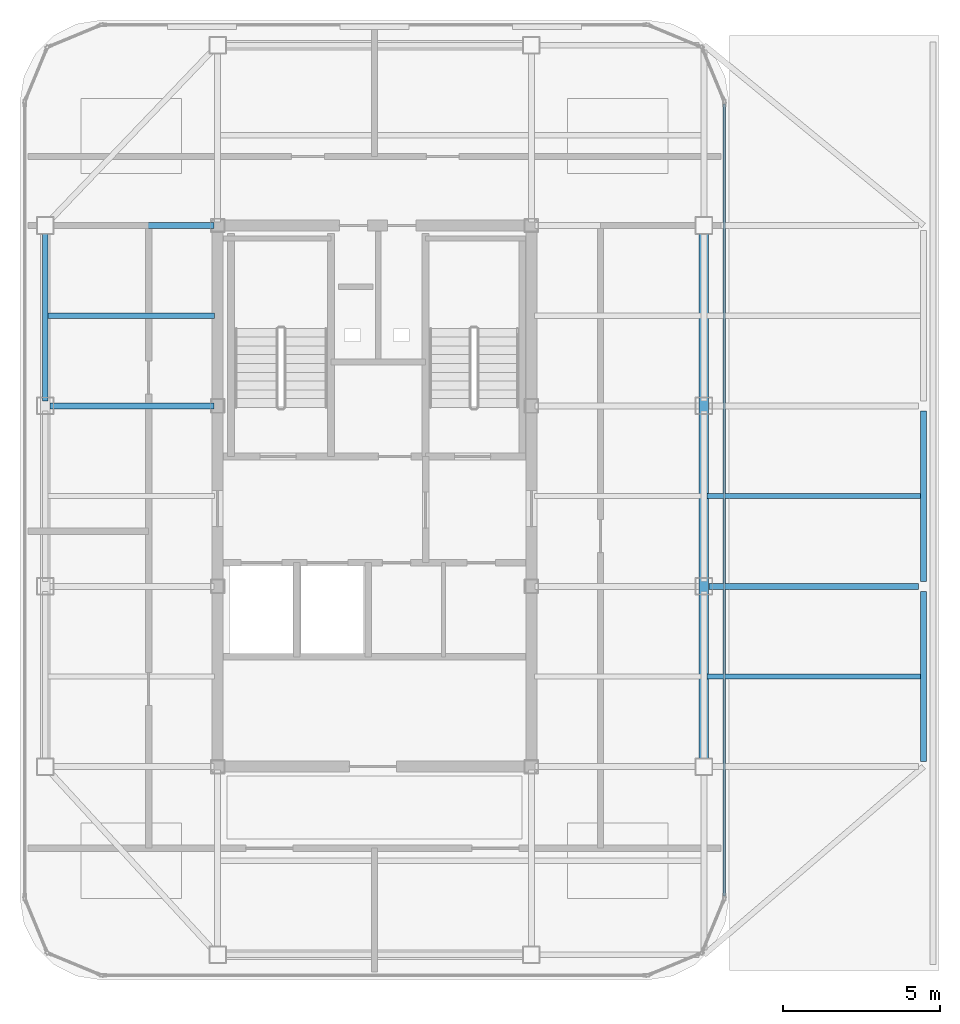
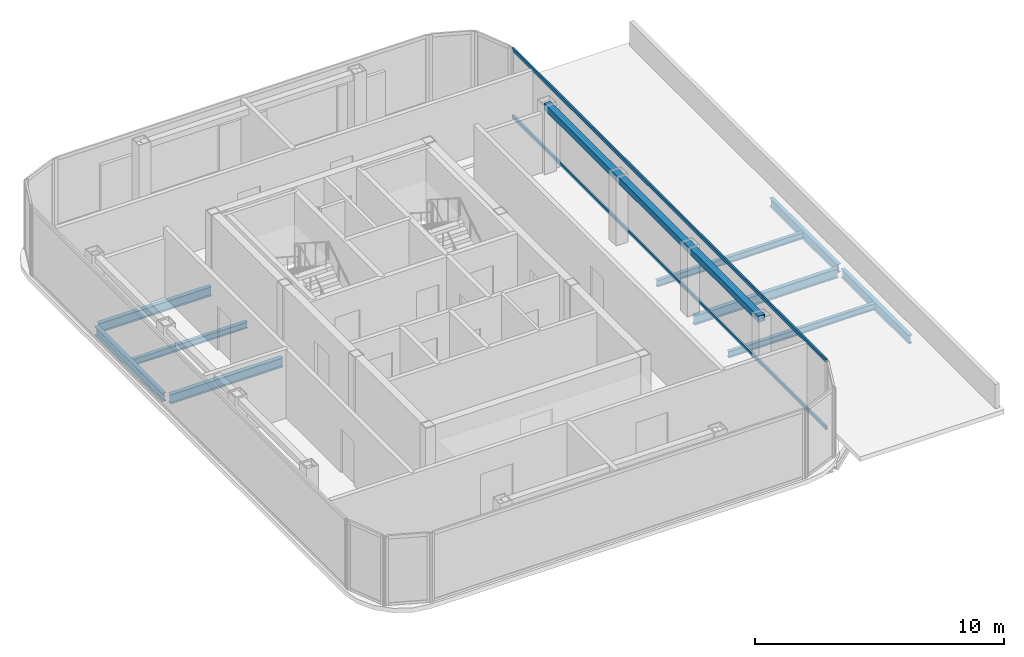
# One storey, part 5 of 11: 9 beams, 3 members, 1 element without a shape of its own.
"""IFC4 building model written with IfcOpenShell, lengths in metres."""

from ifc_helpers import new_model, si_unit, direction, frame, origin, origin_2d, place, context, subcontext, project, spatial, hollow_rectangle, i_section, extrude, source, transform, mapped, material, layer, layer_set, material_profile, profile_set, type_object, element, aggregate, save


model = new_model("IFC4")

# Units and contexts
model_context = context("Model", 3, precision=1e-05, world=origin(), true_north=direction((0.0, 1.0)))
body_context = subcontext(model_context, "Body", "Model", "MODEL_VIEW")
ifc_project = project(units=[si_unit("LENGTHUNIT", "METRE"), si_unit("AREAUNIT", "SQUARE_METRE"), si_unit("VOLUMEUNIT", "CUBIC_METRE"), si_unit("PLANEANGLEUNIT", "RADIAN"), si_unit("MASSUNIT", "GRAM", prefix="KILO")], contexts=[model_context])

# Site, building, storey
site_placement = place(None, origin())
site = spatial("IfcSite", under=ifc_project, at=site_placement, CompositionType="ELEMENT")
building_placement = place(site_placement, origin())
building = spatial("IfcBuilding", under=site, at=building_placement, Name="Kolveth Station Tower", CompositionType="ELEMENT")
storey_placement = place(building_placement, frame((0.0, 0.0, 285.699951171875)))
storey = spatial("IfcBuildingStorey", under=building, at=storey_placement, Name="L82", CompositionType="ELEMENT", Elevation=285.699951171875)

# Beams
ifc_material_1 = material(Name="Steel S355", Category="steel")
ifc_material_profile_1 = material_profile(ifc_material_1, i_section(OverallWidth=0.180908203125, OverallDepth=0.4169921875, WebThickness=0.010986328125, FlangeThickness=0.018310546875, at=origin_2d()), Name="W410x85")
ifc_profile_set_1 = profile_set([ifc_material_profile_1], Name="Steel S355")
beam_type_1 = type_object("IfcBeamType", Name="Beam_B8", PredefinedType="BEAM", material=ifc_profile_set_1)
shared_shape_1 = source(origin(), body_context, "Body", "SweptSolid", [
    extrude(i_section(OverallWidth=0.180908203125, OverallDepth=0.4169921875, WebThickness=0.010986328125, FlangeThickness=0.018310546875, at=origin_2d()), origin(), (0.0, 0.0, 1.0), 5.43017578125),
])
for number, where, z_axis, x_axis, name in (
    (1, (13.0, 23.159912109375, -0.428466796875), (0.0, 1.0, 0.0), (-1.0, 0.0, 0.0), "L82 Perimeter Spandrel BM-L82-PW-3"),
    (2, (41.0, 11.659912109375, -0.428466796875), (0.0, 1.0, 0.0), (-1.0, 0.0, 0.0), "L82 Perimeter Spandrel BM-L82-PE-1"),
    (3, (41.0, 17.409912109375, -0.428466796875), (0.0, 1.0, 0.0), (-1.0, 0.0, 0.0), "L82 Perimeter Spandrel BM-L82-PE-2"),
):
    element("IfcBeam", number, at=place(storey_placement, frame(where, z_axis=z_axis, x_axis=x_axis)), inside=storey, type_object=beam_type_1, Name=name, PredefinedType="BEAM", context=body_context, shape_type="MappedRepresentation", body=[
        mapped(shared_shape_1, transform((0.0, 0.0, 0.0), x_axis=(1.0, 0.0, 0.0), y_axis=(0.0, 1.0, 0.0), z_axis=(0.0, 0.0, 1.0), scale=1.0)),
    ])
ifc_material_profile_2 = material_profile(ifc_material_1, i_section(OverallWidth=0.19091796875, OverallDepth=0.4599609375, WebThickness=0.010009765625, FlangeThickness=0.01611328125, at=origin_2d()), Name="W460x82")
ifc_profile_set_2 = profile_set([ifc_material_profile_2], Name="Steel S355")
beam_type_2 = type_object("IfcBeamType", Name="Beam_B7", PredefinedType="BEAM", material=ifc_profile_set_2)
shared_shape_2 = source(origin(), body_context, "Body", "SweptSolid", [
    extrude(i_section(OverallWidth=0.19091796875, OverallDepth=0.4599609375, WebThickness=0.010009765625, FlangeThickness=0.01611328125, at=origin_2d()), origin(), (0.0, 0.0, 1.0), 6.68017578125),
])
beam_1_placement = place(storey_placement, frame((34.159912109375, 17.25, -0.449951171875), z_axis=(1.0, 0.0, 0.0), x_axis=(0.0, 1.0, 0.0)))
element("IfcBeam", 4, at=beam_1_placement, inside=storey, type_object=beam_type_2, Name="L82 Primary Girder BM-L82-GY172-4", PredefinedType="BEAM", context=body_context, shape_type="MappedRepresentation", body=[
    mapped(shared_shape_2, transform((0.0, 0.0, 0.0), x_axis=(1.0, 0.0, 0.0), y_axis=(0.0, 1.0, 0.0), z_axis=(0.0, 0.0, 1.0), scale=1.0)),
])
shared_shape_3 = source(origin(), body_context, "Body", "SweptSolid", [
    extrude(i_section(OverallWidth=0.19091796875, OverallDepth=0.4599609375, WebThickness=0.010009765625, FlangeThickness=0.01611328125, at=origin_2d()), origin(), (0.0, 0.0, 1.0), 5.22998046875),
])
for number, where, z_axis, x_axis, name in (
    (5, (13.159912109375, 23.0, -0.449951171875), (1.0, 0.0, 0.0), (0.0, 1.0, 0.0), "L82 Primary Girder BM-L82-GY230-1"),
    (6, (13.159912109375, 28.75, -0.449951171875), (1.0, 0.0, 0.0), (0.0, 1.0, 0.0), "L82 Primary Girder BM-L82-GY287-1"),
):
    element("IfcBeam", number, at=place(storey_placement, frame(where, z_axis=z_axis, x_axis=x_axis)), inside=storey, type_object=beam_type_2, Name=name, PredefinedType="BEAM", context=body_context, shape_type="MappedRepresentation", body=[
        mapped(shared_shape_3, transform((0.0, 0.0, 0.0), x_axis=(1.0, 0.0, 0.0), y_axis=(0.0, 1.0, 0.0), z_axis=(0.0, 0.0, 1.0), scale=1.0)),
    ])
ifc_material_profile_3 = material_profile(ifc_material_1, i_section(OverallWidth=0.1650390625, OverallDepth=0.31005859375, WebThickness=0.005859375, FlangeThickness=0.009765625, at=origin_2d()), Name="W310x39")
ifc_profile_set_3 = profile_set([ifc_material_profile_3], Name="Steel S355")
beam_type_3 = type_object("IfcBeamType", Name="Beam_J3", PredefinedType="JOIST", material=ifc_profile_set_3)
shared_shape_4 = source(origin(), body_context, "Body", "SweptSolid", [
    extrude(i_section(OverallWidth=0.1650390625, OverallDepth=0.31005859375, WebThickness=0.005859375, FlangeThickness=0.009765625, at=origin_2d()), origin(), (0.0, 0.0, 1.0), 6.818115234375),
])
for number, where, z_axis, x_axis, name in (
    (7, (34.093505859375, 14.375, -0.375), (1.0, 0.0, 0.0), (0.0, 1.0, 0.0), "L82 Secondary Joist JST-L82-4-2"),
    (8, (34.093505859375, 20.125, -0.375), (1.0, 0.0, 0.0), (0.0, 1.0, 0.0), "L82 Secondary Joist JST-L82-4-3"),
):
    element("IfcBeam", number, at=place(storey_placement, frame(where, z_axis=z_axis, x_axis=x_axis)), inside=storey, type_object=beam_type_3, Name=name, PredefinedType="JOIST", context=body_context, shape_type="MappedRepresentation", body=[
        mapped(shared_shape_4, transform((0.0, 0.0, 0.0), x_axis=(1.0, 0.0, 0.0), y_axis=(0.0, 1.0, 0.0), z_axis=(0.0, 0.0, 1.0), scale=1.0)),
    ])
shared_shape_5 = source(origin(), body_context, "Body", "SweptSolid", [
    extrude(i_section(OverallWidth=0.1650390625, OverallDepth=0.31005859375, WebThickness=0.005859375, FlangeThickness=0.009765625, at=origin_2d()), origin(), (0.0, 0.0, 1.0), 5.318115234375),
])
beam_2_placement = place(storey_placement, frame((13.08837890625, 25.875, -0.375), z_axis=(1.0, 0.0, 0.0), x_axis=(0.0, 1.0, 0.0)))
element("IfcBeam", 9, at=beam_2_placement, inside=storey, type_object=beam_type_3, Name="L82 Secondary Joist JST-L82-1-4", PredefinedType="JOIST", context=body_context, shape_type="MappedRepresentation", body=[
    mapped(shared_shape_5, transform((0.0, 0.0, 0.0), x_axis=(1.0, 0.0, 0.0), y_axis=(0.0, 1.0, 0.0), z_axis=(0.0, 0.0, 1.0), scale=1.0)),
])

# Member
ifc_material_profile_4 = material_profile(ifc_material_1, hollow_rectangle(XDim=0.300048828125, YDim=0.300048828125, WallThickness=0.01611328125, at=origin_2d()), Name="CROWN-HSS300x300x16")
ifc_profile_set_4 = profile_set([ifc_material_profile_4], Name="Steel S355")
member_type_1 = type_object("IfcMemberType", Name="Mem_CF1", PredefinedType="CHORD", material=ifc_profile_set_4)
shared_shape_6 = source(origin(), body_context, "Body", "SweptSolid", [
    extrude(hollow_rectangle(XDim=0.300048828125, YDim=0.300048828125, WallThickness=0.01611328125, at=origin_2d()), origin(), (0.0, 0.0, 1.0), 17.25),
])
member_1_placement = place(storey_placement, frame((34.0, 11.5, 3.150146484375), z_axis=(0.0, 1.0, 0.0), x_axis=(-1.0, 0.0, 0.0)))
element("IfcMember", 10, at=member_1_placement, inside=storey, type_object=member_type_1, Name="L82 Crown Frame Ring Chord 4", PredefinedType="CHORD", context=body_context, shape_type="MappedRepresentation", body=[
    mapped(shared_shape_6, transform((0.0, 0.0, 0.0), x_axis=(1.0, 0.0, 0.0), y_axis=(0.0, 1.0, 0.0), z_axis=(0.0, 0.0, 1.0), scale=1.0)),
])

# Curtain wall, members
ifc_material_2 = material(Name="Black anodized aluminium 6063-T6 and dark crown glass", Category="aluminium")
ifc_layer = layer(ifc_material_2, 0.169921875)
ifc_layer_set = layer_set([ifc_layer], Name="Black anodized aluminium 6063-T6 and dark crown glass")
curtain_wall_type = type_object("IfcCurtainWallType", Name="CurtainWall_CW-CR", PredefinedType="NOTDEFINED", material=ifc_layer_set)
curtain_wall_placement = place(storey_placement, origin())
curtain_wall = element("IfcCurtainWall", 11, at=curtain_wall_placement, inside=storey, type_object=curtain_wall_type, Name="L82 Stepped Crown Curtain Wall 3", PredefinedType="NOTDEFINED")
ifc_material_3 = material(Name="Black anodized aluminium 6063-T6", Category="aluminium")
ifc_material_profile_5 = material_profile(ifc_material_3, hollow_rectangle(XDim=0.080078125, YDim=0.1650390625, WallThickness=0.0048828125, at=origin_2d()), Name="ALU-80x165x5")
ifc_profile_set_5 = profile_set([ifc_material_profile_5], Name="Black anodized aluminium 6063-T6")
member_type_2 = type_object("IfcMemberType", Name="Transom_TR-CR", PredefinedType="USERDEFINED", material=ifc_profile_set_5)
shared_shape_7 = source(origin(), body_context, "Body", "SweptSolid", [
    extrude(hollow_rectangle(XDim=0.080078125, YDim=0.1650390625, WallThickness=0.0048828125, at=origin_2d()), origin(), (0.0, 0.0, 1.0), 25.22998046875),
])
member_2_placement = place(storey_placement, frame((34.64990234375, 7.385009765625, 0.0400390625), z_axis=(0.0, 1.0, 0.0), x_axis=(-1.0, 0.0, 0.0)))
member_2 = element("IfcMember", 12, at=member_2_placement, type_object=member_type_2, Name="CW-CR transom 1.1", ObjectType="TRANSOM", PredefinedType="USERDEFINED", context=body_context, shape_type="MappedRepresentation", body=[
    mapped(shared_shape_7, transform((0.0, 0.0, 0.0), x_axis=(1.0, 0.0, 0.0), y_axis=(0.0, 1.0, 0.0), z_axis=(0.0, 0.0, 1.0), scale=1.0)),
])
member_3_placement = place(storey_placement, frame((34.64990234375, 7.385009765625, 3.340087890625), z_axis=(0.0, 1.0, 0.0), x_axis=(-1.0, 0.0, 0.0)))
member_3 = element("IfcMember", 13, at=member_3_placement, type_object=member_type_2, Name="CW-CR transom 1.2", ObjectType="TRANSOM", PredefinedType="USERDEFINED", context=body_context, shape_type="MappedRepresentation", body=[
    mapped(shared_shape_7, transform((0.0, 0.0, 0.0), x_axis=(1.0, 0.0, 0.0), y_axis=(0.0, 1.0, 0.0), z_axis=(0.0, 0.0, 1.0), scale=1.0)),
])
aggregate(curtain_wall, [member_2, member_3])

save(model, "model.ifc")
